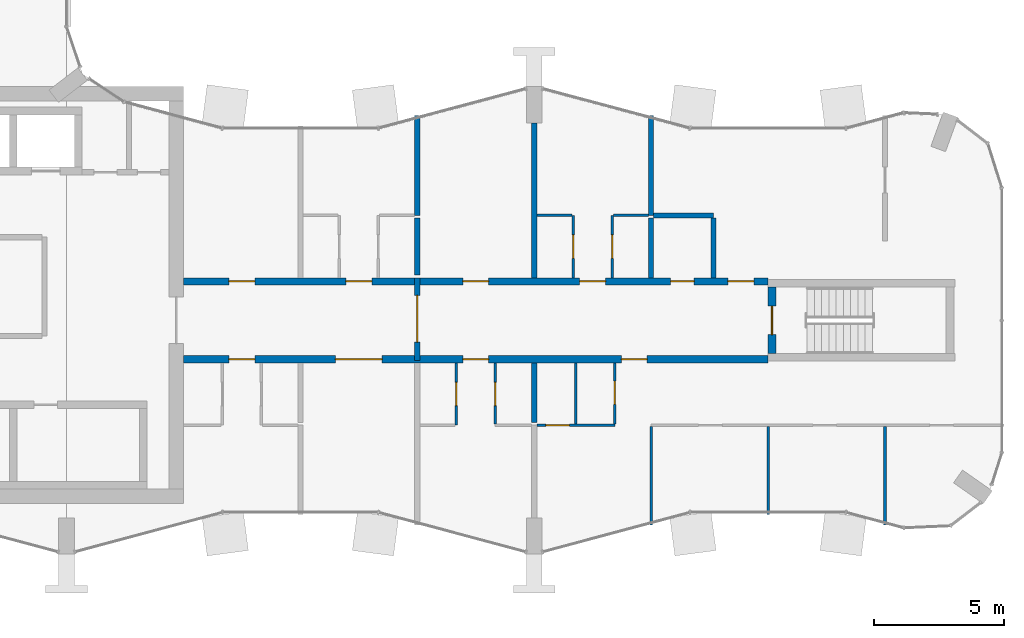
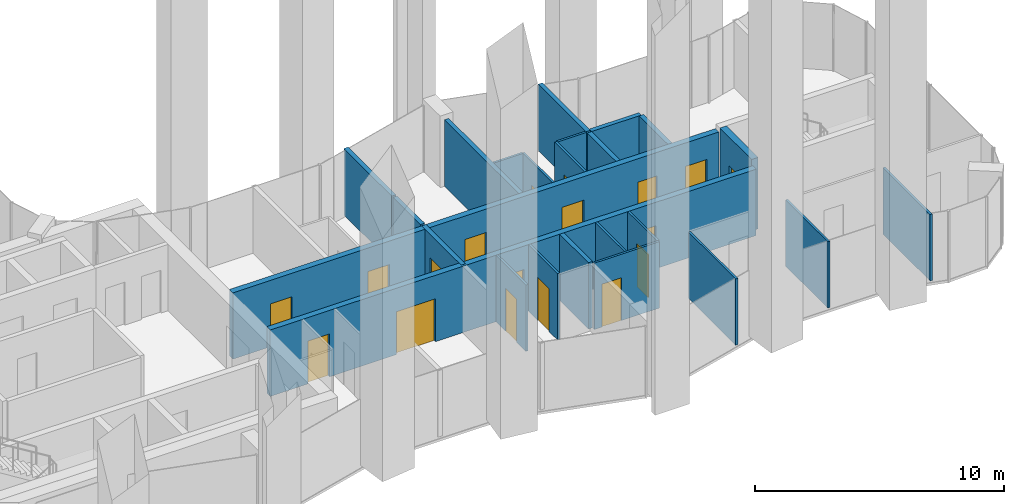
# One storey, part 11 of 17: 24 walls, 18 doors, 18 openings.
"""IFC4 building model written with IfcOpenShell, lengths in metres."""

from ifc_helpers import new_model, si_unit, direction, frame, frame_2d, origin, place, context, subcontext, project, spatial, rectangle, extrude, material, layer, layer_set, type_object, element, fill, save


model = new_model("IFC4")

# Units and contexts
model_context = context("Model", 3, precision=1e-05, world=origin(), true_north=direction((0.0, 1.0)))
body_context = subcontext(model_context, "Body", "Model", "MODEL_VIEW")
ifc_project = project(units=[si_unit("LENGTHUNIT", "METRE"), si_unit("AREAUNIT", "SQUARE_METRE"), si_unit("VOLUMEUNIT", "CUBIC_METRE"), si_unit("PLANEANGLEUNIT", "RADIAN"), si_unit("MASSUNIT", "GRAM", prefix="KILO")], contexts=[model_context])

# Site, building, storey
site_placement = place(None, origin())
site = spatial("IfcSite", under=ifc_project, at=site_placement, CompositionType="ELEMENT")
building_placement = place(site_placement, origin())
building = spatial("IfcBuilding", under=site, at=building_placement, Name="Plateau Cross Towers", CompositionType="ELEMENT")
storey_placement = place(building_placement, frame((0.0, 0.0, 190.89990234375)))
storey = spatial("IfcBuildingStorey", under=building, at=storey_placement, Name="L49", CompositionType="ELEMENT", Elevation=190.89990234375)

# Wall, openings, doors
ifc_material_1 = material(Name="Concrete C60/75", Category="concrete")
ifc_layer_1 = layer(ifc_material_1, 0.27490234375)
ifc_layer_set_1 = layer_set([ifc_layer_1], Name="Concrete C60/75")
wall_type_1 = type_object("IfcWallType", Name="Corridor wall 275", PredefinedType="SHEAR", material=ifc_layer_set_1)
wall_1_placement = place(storey_placement, frame((22.5, 7.5, 0.0), z_axis=(0.0, 0.0, 1.0), x_axis=(1.0, 0.0, 0.0)))
wall_1 = element("IfcWall", 1, at=wall_1_placement, inside=storey, type_object=wall_type_1, Name="A-cw-S1@L49", PredefinedType="SHEAR", context=body_context, shape_type="SweptSolid", body=[
    extrude(rectangle(XDim=22.5, YDim=0.27490234375, at=frame_2d((11.25, 0.0))), origin(), (0.0, 0.0, 1.0), 3.25),
])
opening_1_placement = place(wall_1_placement, frame((1.75, 0.0, 0.0)))
opening_1 = element("IfcOpeningElement", 2, at=opening_1_placement, cuts=wall_1, Name="Opening 49-01", PredefinedType="OPENING", context=body_context, shape_type="SweptSolid", body=[
    extrude(rectangle(XDim=1.0, YDim=2.10009765625, at=frame_2d((0.5, 1.050048828125))), frame((0.0, 0.1474609375, 0.0), z_axis=(0.0, -1.0, 0.0), x_axis=(1.0, 0.0, 0.0)), (0.0, 0.0, 1.0), 0.294921875),
])
opening_2_placement = place(wall_1_placement, frame((5.85009765625, 0.0, 0.0)))
opening_2 = element("IfcOpeningElement", 3, at=opening_2_placement, cuts=wall_1, Name="Opening 49-02", PredefinedType="OPENING", context=body_context, shape_type="SweptSolid", body=[
    extrude(rectangle(XDim=1.800048828125, YDim=2.10009765625, at=frame_2d((0.89990234375, 1.050048828125))), frame((0.0, 0.1474609375, 0.0), z_axis=(0.0, -1.0, 0.0), x_axis=(1.0, 0.0, 0.0)), (0.0, 0.0, 1.0), 0.294921875),
])
opening_3_placement = place(wall_1_placement, frame((10.75, 0.0, 0.0)))
opening_3 = element("IfcOpeningElement", 4, at=opening_3_placement, cuts=wall_1, Name="Opening 49-03", PredefinedType="OPENING", context=body_context, shape_type="SweptSolid", body=[
    extrude(rectangle(XDim=1.0, YDim=2.10009765625, at=frame_2d((0.5, 1.050048828125))), frame((0.0, 0.1474609375, 0.0), z_axis=(0.0, -1.0, 0.0), x_axis=(1.0, 0.0, 0.0)), (0.0, 0.0, 1.0), 0.294921875),
])
opening_4_placement = place(wall_1_placement, frame((16.85009765625, 0.0, 0.0)))
opening_4 = element("IfcOpeningElement", 5, at=opening_4_placement, cuts=wall_1, Name="Opening 49-04", PredefinedType="OPENING", context=body_context, shape_type="SweptSolid", body=[
    extrude(rectangle(XDim=1.0, YDim=2.10009765625, at=frame_2d((0.5, 1.050048828125))), frame((0.0, 0.1474609375, 0.0), z_axis=(0.0, -1.0, 0.0), x_axis=(1.0, 0.0, 0.0)), (0.0, 0.0, 1.0), 0.294921875),
])
ifc_material_2 = material(Name="Timber, fire-resisting leaf", Category="wood")
door_type_1 = type_object("IfcDoorType", Name="Flat entrance door 1000", OperationType="NOTDEFINED", PredefinedType="DOOR", material=ifc_material_2)
door_1_placement = place(opening_1_placement, origin())
door_1 = element("IfcDoor", 6, at=door_1_placement, inside=storey, type_object=door_type_1, Name="Door 49-01", OperationType="SINGLE_SWING_LEFT", OverallHeight=2.10009765625, OverallWidth=1.0, PredefinedType="DOOR", context=body_context, shape_type="SweptSolid", body=[
    extrude(rectangle(XDim=1.0, YDim=2.10009765625, at=frame_2d((0.5, 1.050048828125))), frame((0.0, 0.02490234375, 0.0), z_axis=(0.0, -1.0, 0.0), x_axis=(1.0, 0.0, 0.0)), (0.0, 0.0, 1.0), 0.050048828125),
])
fill(opening_1, door_1)
door_2_placement = place(opening_3_placement, origin())
door_2 = element("IfcDoor", 7, at=door_2_placement, inside=storey, type_object=door_type_1, Name="Door 49-03", OperationType="SINGLE_SWING_LEFT", OverallHeight=2.10009765625, OverallWidth=1.0, PredefinedType="DOOR", context=body_context, shape_type="SweptSolid", body=[
    extrude(rectangle(XDim=1.0, YDim=2.10009765625, at=frame_2d((0.5, 1.050048828125))), frame((0.0, 0.02490234375, 0.0), z_axis=(0.0, -1.0, 0.0), x_axis=(1.0, 0.0, 0.0)), (0.0, 0.0, 1.0), 0.050048828125),
])
fill(opening_3, door_2)
door_3_placement = place(opening_4_placement, origin())
door_3 = element("IfcDoor", 8, at=door_3_placement, inside=storey, type_object=door_type_1, Name="Door 49-04", OperationType="SINGLE_SWING_RIGHT", OverallHeight=2.10009765625, OverallWidth=1.0, PredefinedType="DOOR", context=body_context, shape_type="SweptSolid", body=[
    extrude(rectangle(XDim=1.0, YDim=2.10009765625, at=frame_2d((0.5, 1.050048828125))), frame((0.0, 0.02490234375, 0.0), z_axis=(0.0, -1.0, 0.0), x_axis=(1.0, 0.0, 0.0)), (0.0, 0.0, 1.0), 0.050048828125),
])
fill(opening_4, door_3)
ifc_material_3 = material(Name="Timber, fire-resisting leaves", Category="wood")
door_type_2 = type_object("IfcDoorType", Name="Flat floor fire door pair 1800", OperationType="NOTDEFINED", PredefinedType="DOOR", material=ifc_material_3)
door_4_placement = place(opening_2_placement, origin())
door_4 = element("IfcDoor", 9, at=door_4_placement, inside=storey, type_object=door_type_2, Name="Door 49-02", OperationType="SINGLE_SWING_LEFT", OverallHeight=2.10009765625, OverallWidth=1.800048828125, PredefinedType="DOOR", context=body_context, shape_type="SweptSolid", body=[
    extrude(rectangle(XDim=1.800048828125, YDim=2.10009765625, at=frame_2d((0.89990234375, 1.050048828125))), frame((0.0, 0.02490234375, 0.0), z_axis=(0.0, -1.0, 0.0), x_axis=(1.0, 0.0, 0.0)), (0.0, 0.0, 1.0), 0.050048828125),
])
fill(opening_2, door_4)

wall_2_placement = place(storey_placement, frame((22.5, 10.5, 0.0), z_axis=(0.0, 0.0, 1.0), x_axis=(1.0, 0.0, 0.0)))
wall_2 = element("IfcWall", 10, at=wall_2_placement, inside=storey, type_object=wall_type_1, Name="A-cw-S2@L49", PredefinedType="SHEAR", context=body_context, shape_type="SweptSolid", body=[
    extrude(rectangle(XDim=22.5, YDim=0.27490234375, at=frame_2d((11.25, 0.0))), origin(), (0.0, 0.0, 1.0), 3.25),
])
opening_5_placement = place(wall_2_placement, frame((1.75, 0.0, 0.0)))
opening_5 = element("IfcOpeningElement", 11, at=opening_5_placement, cuts=wall_2, Name="Opening 49-05", PredefinedType="OPENING", context=body_context, shape_type="SweptSolid", body=[
    extrude(rectangle(XDim=1.0, YDim=2.10009765625, at=frame_2d((0.5, 1.050048828125))), frame((0.0, 0.1474609375, 0.0), z_axis=(0.0, -1.0, 0.0), x_axis=(1.0, 0.0, 0.0)), (0.0, 0.0, 1.0), 0.294921875),
])
opening_6_placement = place(wall_2_placement, frame((6.25, 0.0, 0.0)))
opening_6 = element("IfcOpeningElement", 12, at=opening_6_placement, cuts=wall_2, Name="Opening 49-06", PredefinedType="OPENING", context=body_context, shape_type="SweptSolid", body=[
    extrude(rectangle(XDim=1.0, YDim=2.10009765625, at=frame_2d((0.5, 1.050048828125))), frame((0.0, 0.1474609375, 0.0), z_axis=(0.0, -1.0, 0.0), x_axis=(1.0, 0.0, 0.0)), (0.0, 0.0, 1.0), 0.294921875),
])
opening_7_placement = place(wall_2_placement, frame((10.75, 0.0, 0.0)))
opening_7 = element("IfcOpeningElement", 13, at=opening_7_placement, cuts=wall_2, Name="Opening 49-07", PredefinedType="OPENING", context=body_context, shape_type="SweptSolid", body=[
    extrude(rectangle(XDim=1.0, YDim=2.10009765625, at=frame_2d((0.5, 1.050048828125))), frame((0.0, 0.1474609375, 0.0), z_axis=(0.0, -1.0, 0.0), x_axis=(1.0, 0.0, 0.0)), (0.0, 0.0, 1.0), 0.294921875),
])
opening_8_placement = place(wall_2_placement, frame((15.25, 0.0, 0.0)))
opening_8 = element("IfcOpeningElement", 14, at=opening_8_placement, cuts=wall_2, Name="Opening 49-08", PredefinedType="OPENING", context=body_context, shape_type="SweptSolid", body=[
    extrude(rectangle(XDim=1.0, YDim=2.10009765625, at=frame_2d((0.5, 1.050048828125))), frame((0.0, 0.1474609375, 0.0), z_axis=(0.0, -1.0, 0.0), x_axis=(1.0, 0.0, 0.0)), (0.0, 0.0, 1.0), 0.294921875),
])
opening_9_placement = place(wall_2_placement, frame((18.75, 0.0, 0.0)))
opening_9 = element("IfcOpeningElement", 15, at=opening_9_placement, cuts=wall_2, Name="Opening 49-09", PredefinedType="OPENING", context=body_context, shape_type="SweptSolid", body=[
    extrude(rectangle(XDim=0.89990234375, YDim=2.10009765625, at=frame_2d((0.449951171875, 1.050048828125))), frame((0.0, 0.1474609375, 0.0), z_axis=(0.0, -1.0, 0.0), x_axis=(1.0, 0.0, 0.0)), (0.0, 0.0, 1.0), 0.294921875),
])
opening_10_placement = place(wall_2_placement, frame((20.949951171875, 0.0, 0.0)))
opening_10 = element("IfcOpeningElement", 16, at=opening_10_placement, cuts=wall_2, Name="Opening 49-10", PredefinedType="OPENING", context=body_context, shape_type="SweptSolid", body=[
    extrude(rectangle(XDim=1.0, YDim=2.10009765625, at=frame_2d((0.5, 1.050048828125))), frame((0.0, 0.1474609375, 0.0), z_axis=(0.0, -1.0, 0.0), x_axis=(1.0, 0.0, 0.0)), (0.0, 0.0, 1.0), 0.294921875),
])
door_5_placement = place(opening_5_placement, origin())
door_5 = element("IfcDoor", 17, at=door_5_placement, inside=storey, type_object=door_type_1, Name="Door 49-05", OperationType="SINGLE_SWING_LEFT", OverallHeight=2.10009765625, OverallWidth=1.0, PredefinedType="DOOR", context=body_context, shape_type="SweptSolid", body=[
    extrude(rectangle(XDim=1.0, YDim=2.10009765625, at=frame_2d((0.5, 1.050048828125))), frame((0.0, 0.02490234375, 0.0), z_axis=(0.0, -1.0, 0.0), x_axis=(1.0, 0.0, 0.0)), (0.0, 0.0, 1.0), 0.050048828125),
])
fill(opening_5, door_5)
door_6_placement = place(opening_6_placement, origin())
door_6 = element("IfcDoor", 18, at=door_6_placement, inside=storey, type_object=door_type_1, Name="Door 49-06", OperationType="SINGLE_SWING_LEFT", OverallHeight=2.10009765625, OverallWidth=1.0, PredefinedType="DOOR", context=body_context, shape_type="SweptSolid", body=[
    extrude(rectangle(XDim=1.0, YDim=2.10009765625, at=frame_2d((0.5, 1.050048828125))), frame((0.0, 0.02490234375, 0.0), z_axis=(0.0, -1.0, 0.0), x_axis=(1.0, 0.0, 0.0)), (0.0, 0.0, 1.0), 0.050048828125),
])
fill(opening_6, door_6)
door_7_placement = place(opening_7_placement, origin())
door_7 = element("IfcDoor", 19, at=door_7_placement, inside=storey, type_object=door_type_1, Name="Door 49-07", OperationType="SINGLE_SWING_LEFT", OverallHeight=2.10009765625, OverallWidth=1.0, PredefinedType="DOOR", context=body_context, shape_type="SweptSolid", body=[
    extrude(rectangle(XDim=1.0, YDim=2.10009765625, at=frame_2d((0.5, 1.050048828125))), frame((0.0, 0.02490234375, 0.0), z_axis=(0.0, -1.0, 0.0), x_axis=(1.0, 0.0, 0.0)), (0.0, 0.0, 1.0), 0.050048828125),
])
fill(opening_7, door_7)
door_8_placement = place(opening_8_placement, origin())
door_8 = element("IfcDoor", 20, at=door_8_placement, inside=storey, type_object=door_type_1, Name="Door 49-08", OperationType="SINGLE_SWING_RIGHT", OverallHeight=2.10009765625, OverallWidth=1.0, PredefinedType="DOOR", context=body_context, shape_type="SweptSolid", body=[
    extrude(rectangle(XDim=1.0, YDim=2.10009765625, at=frame_2d((0.5, 1.050048828125))), frame((0.0, 0.02490234375, 0.0), z_axis=(0.0, -1.0, 0.0), x_axis=(1.0, 0.0, 0.0)), (0.0, 0.0, 1.0), 0.050048828125),
])
fill(opening_8, door_8)
door_9_placement = place(opening_10_placement, origin())
door_9 = element("IfcDoor", 21, at=door_9_placement, inside=storey, type_object=door_type_1, Name="Door 49-10", OperationType="SINGLE_SWING_RIGHT", OverallHeight=2.10009765625, OverallWidth=1.0, PredefinedType="DOOR", context=body_context, shape_type="SweptSolid", body=[
    extrude(rectangle(XDim=1.0, YDim=2.10009765625, at=frame_2d((0.5, 1.050048828125))), frame((0.0, 0.02490234375, 0.0), z_axis=(0.0, -1.0, 0.0), x_axis=(1.0, 0.0, 0.0)), (0.0, 0.0, 1.0), 0.050048828125),
])
fill(opening_10, door_9)
door_type_3 = type_object("IfcDoorType", Name="Flat floor service door 900", OperationType="NOTDEFINED", PredefinedType="DOOR", material=ifc_material_2)
door_10_placement = place(opening_9_placement, origin())
door_10 = element("IfcDoor", 22, at=door_10_placement, inside=storey, type_object=door_type_3, Name="Door 49-09", OperationType="SINGLE_SWING_RIGHT", OverallHeight=2.10009765625, OverallWidth=0.89990234375, PredefinedType="DOOR", context=body_context, shape_type="SweptSolid", body=[
    extrude(rectangle(XDim=0.89990234375, YDim=2.10009765625, at=frame_2d((0.449951171875, 1.050048828125))), frame((0.0, 0.02490234375, 0.0), z_axis=(0.0, -1.0, 0.0), x_axis=(1.0, 0.0, 0.0)), (0.0, 0.0, 1.0), 0.050048828125),
])
fill(opening_9, door_10)

# Wall, opening, door
ifc_material_4 = material(Name="Gypsum board on steel studs", Category="steel")
ifc_layer_2 = layer(ifc_material_4, 0.10009765625)
ifc_layer_set_2 = layer_set([ifc_layer_2], Name="Gypsum board on steel studs")
wall_type_2 = type_object("IfcWallType", Name="Flat partition 100", PredefinedType="PARTITIONING", material=ifc_layer_set_2)
wall_3_placement = place(storey_placement, frame((36.10009765625, 4.96240234375, 0.0), z_axis=(0.0, 0.0, 1.0), x_axis=(1.0, 0.0, 0.0)))
wall_3 = element("IfcWall", 23, at=wall_3_placement, inside=storey, type_object=wall_type_2, Name="Partition wall", PredefinedType="PARTITIONING", context=body_context, shape_type="SweptSolid", body=[
    extrude(rectangle(XDim=3.0, YDim=0.10009765625, at=frame_2d((1.5, 0.0))), origin(), (0.0, 0.0, 1.0), 3.25),
])
opening_11_placement = place(wall_3_placement, frame((0.35009765625, 0.0, 0.0)))
opening_11 = element("IfcOpeningElement", 24, at=opening_11_placement, cuts=wall_3, Name="Opening 49-30", PredefinedType="OPENING", context=body_context, shape_type="SweptSolid", body=[
    extrude(rectangle(XDim=0.89990234375, YDim=2.10009765625, at=frame_2d((0.449951171875, 1.050048828125))), frame((0.0, 0.06005859375, 0.0), z_axis=(0.0, -1.0, 0.0), x_axis=(1.0, 0.0, 0.0)), (0.0, 0.0, 1.0), 0.1201171875),
])
ifc_material_5 = material(Name="Timber leaf", Category="wood")
door_type_4 = type_object("IfcDoorType", Name="Flat room door 900", OperationType="NOTDEFINED", PredefinedType="DOOR", material=ifc_material_5)
door_11_placement = place(opening_11_placement, origin())
door_11 = element("IfcDoor", 25, at=door_11_placement, inside=storey, type_object=door_type_4, Name="Door 49-30", OperationType="SINGLE_SWING_LEFT", OverallHeight=2.10009765625, OverallWidth=0.89990234375, PredefinedType="DOOR", context=body_context, shape_type="SweptSolid", body=[
    extrude(rectangle(XDim=0.89990234375, YDim=2.10009765625, at=frame_2d((0.449951171875, 1.050048828125))), frame((0.0, 0.02490234375, 0.0), z_axis=(0.0, -1.0, 0.0), x_axis=(1.0, 0.0, 0.0)), (0.0, 0.0, 1.0), 0.050048828125),
])
fill(opening_11, door_11)

# Walls
for number, where, z_axis, x_axis, name in (
    (26, (37.449951171875, 13.03759765625, 0.0), (0.0, 0.0, 1.0), (-1.0, 0.0, 0.0), "Partition wall"),
    (27, (40.39990234375, 13.03759765625, 0.0), (0.0, 0.0, 1.0), (-1.0, 0.0, 0.0), "Partition wall"),
):
    element("IfcWall", number, at=place(storey_placement, frame(where, z_axis=z_axis, x_axis=x_axis)), inside=storey, type_object=wall_type_2, Name=name, PredefinedType="PARTITIONING", context=body_context, shape_type="SweptSolid", body=[
        extrude(rectangle(XDim=1.349853515625, YDim=0.10009765625, at=frame_2d((0.6748046875, 0.0))), origin(), (0.0, 0.0, 1.0), 3.25),
    ])

# Wall, opening, door
wall_4_placement = place(storey_placement, frame((33.0, 4.96240234375, 0.0), z_axis=(0.0, 0.0, 1.0), x_axis=(0.0, 1.0, 0.0)))
wall_4 = element("IfcWall", 28, at=wall_4_placement, inside=storey, type_object=wall_type_2, Name="Partition wall", PredefinedType="PARTITIONING", context=body_context, shape_type="SweptSolid", body=[
    extrude(rectangle(XDim=2.400146484375, YDim=0.10009765625, at=frame_2d((1.2001953125, 0.0))), origin(), (0.0, 0.0, 1.0), 3.25),
])
opening_12_placement = place(wall_4_placement, frame((0.75, 0.0, 0.0)))
opening_12 = element("IfcOpeningElement", 29, at=opening_12_placement, cuts=wall_4, Name="Opening 49-28", PredefinedType="OPENING", context=body_context, shape_type="SweptSolid", body=[
    extrude(rectangle(XDim=0.89990234375, YDim=2.10009765625, at=frame_2d((0.449951171875, 1.050048828125))), frame((0.0, 0.06005859375, 0.0), z_axis=(0.0, -1.0, 0.0), x_axis=(1.0, 0.0, 0.0)), (0.0, 0.0, 1.0), 0.1201171875),
])
door_12_placement = place(opening_12_placement, origin())
door_12 = element("IfcDoor", 30, at=door_12_placement, inside=storey, type_object=door_type_4, Name="Door 49-28", OperationType="SINGLE_SWING_RIGHT", OverallHeight=2.10009765625, OverallWidth=0.89990234375, PredefinedType="DOOR", context=body_context, shape_type="SweptSolid", body=[
    extrude(rectangle(XDim=0.89990234375, YDim=2.10009765625, at=frame_2d((0.449951171875, 1.050048828125))), frame((0.0, 0.02490234375, 0.0), z_axis=(0.0, -1.0, 0.0), x_axis=(1.0, 0.0, 0.0)), (0.0, 0.0, 1.0), 0.050048828125),
])
fill(opening_12, door_12)

wall_5_placement = place(storey_placement, frame((34.5, 7.362548828125, 0.0), z_axis=(0.0, 0.0, 1.0), x_axis=(0.0, -1.0, 0.0)))
wall_5 = element("IfcWall", 31, at=wall_5_placement, inside=storey, type_object=wall_type_2, Name="Partition wall", PredefinedType="PARTITIONING", context=body_context, shape_type="SweptSolid", body=[
    extrude(rectangle(XDim=2.35009765625, YDim=0.10009765625, at=frame_2d((1.175048828125, 0.0))), origin(), (0.0, 0.0, 1.0), 3.25),
])
opening_13_placement = place(wall_5_placement, frame((0.75, 0.0, 0.0)))
opening_13 = element("IfcOpeningElement", 32, at=opening_13_placement, cuts=wall_5, Name="Opening 49-29", PredefinedType="OPENING", context=body_context, shape_type="SweptSolid", body=[
    extrude(rectangle(XDim=0.89990234375, YDim=2.10009765625, at=frame_2d((0.449951171875, 1.050048828125))), frame((0.0, 0.06005859375, 0.0), z_axis=(0.0, -1.0, 0.0), x_axis=(1.0, 0.0, 0.0)), (0.0, 0.0, 1.0), 0.1201171875),
])
door_13_placement = place(opening_13_placement, origin())
door_13 = element("IfcDoor", 33, at=door_13_placement, inside=storey, type_object=door_type_4, Name="Door 49-29", OperationType="SINGLE_SWING_RIGHT", OverallHeight=2.10009765625, OverallWidth=0.89990234375, PredefinedType="DOOR", context=body_context, shape_type="SweptSolid", body=[
    extrude(rectangle(XDim=0.89990234375, YDim=2.10009765625, at=frame_2d((0.449951171875, 1.050048828125))), frame((0.0, 0.02490234375, 0.0), z_axis=(0.0, -1.0, 0.0), x_axis=(1.0, 0.0, 0.0)), (0.0, 0.0, 1.0), 0.050048828125),
])
fill(opening_13, door_13)

wall_6_placement = place(storey_placement, frame((37.5, 10.637451171875, 0.0), z_axis=(0.0, 0.0, 1.0), x_axis=(0.0, 1.0, 0.0)))
wall_6 = element("IfcWall", 34, at=wall_6_placement, inside=storey, type_object=wall_type_2, Name="Partition wall", PredefinedType="PARTITIONING", context=body_context, shape_type="SweptSolid", body=[
    extrude(rectangle(XDim=2.400146484375, YDim=0.10009765625, at=frame_2d((1.2001953125, 0.0))), origin(), (0.0, 0.0, 1.0), 3.25),
])
opening_14_placement = place(wall_6_placement, frame((0.75, 0.0, 0.0)))
opening_14 = element("IfcOpeningElement", 35, at=opening_14_placement, cuts=wall_6, Name="Opening 49-37", PredefinedType="OPENING", context=body_context, shape_type="SweptSolid", body=[
    extrude(rectangle(XDim=0.89990234375, YDim=2.10009765625, at=frame_2d((0.449951171875, 1.050048828125))), frame((0.0, 0.06005859375, 0.0), z_axis=(0.0, -1.0, 0.0), x_axis=(1.0, 0.0, 0.0)), (0.0, 0.0, 1.0), 0.1201171875),
])
door_14_placement = place(opening_14_placement, origin())
door_14 = element("IfcDoor", 36, at=door_14_placement, inside=storey, type_object=door_type_4, Name="Door 49-37", OperationType="SINGLE_SWING_LEFT", OverallHeight=2.10009765625, OverallWidth=0.89990234375, PredefinedType="DOOR", context=body_context, shape_type="SweptSolid", body=[
    extrude(rectangle(XDim=0.89990234375, YDim=2.10009765625, at=frame_2d((0.449951171875, 1.050048828125))), frame((0.0, 0.02490234375, 0.0), z_axis=(0.0, -1.0, 0.0), x_axis=(1.0, 0.0, 0.0)), (0.0, 0.0, 1.0), 0.050048828125),
])
fill(opening_14, door_14)

# Wall
wall_7_placement = place(storey_placement, frame((37.60009765625, 5.012451171875, 0.0), z_axis=(0.0, 0.0, 1.0), x_axis=(0.0, 1.0, 0.0)))
element("IfcWall", 37, at=wall_7_placement, inside=storey, type_object=wall_type_2, Name="Partition wall", PredefinedType="PARTITIONING", context=body_context, shape_type="SweptSolid", body=[
    extrude(rectangle(XDim=2.35009765625, YDim=0.10009765625, at=frame_2d((1.175048828125, 0.0))), origin(), (0.0, 0.0, 1.0), 3.25),
])

# Wall, opening, door
wall_8_placement = place(storey_placement, frame((39.0, 13.03759765625, 0.0), z_axis=(0.0, 0.0, 1.0), x_axis=(0.0, -1.0, 0.0)))
wall_8 = element("IfcWall", 38, at=wall_8_placement, inside=storey, type_object=wall_type_2, Name="Partition wall", PredefinedType="PARTITIONING", context=body_context, shape_type="SweptSolid", body=[
    extrude(rectangle(XDim=2.400146484375, YDim=0.10009765625, at=frame_2d((1.2001953125, 0.0))), origin(), (0.0, 0.0, 1.0), 3.25),
])
opening_15_placement = place(wall_8_placement, frame((0.75, 0.0, 0.0)))
opening_15 = element("IfcOpeningElement", 39, at=opening_15_placement, cuts=wall_8, Name="Opening 49-38", PredefinedType="OPENING", context=body_context, shape_type="SweptSolid", body=[
    extrude(rectangle(XDim=0.89990234375, YDim=2.10009765625, at=frame_2d((0.449951171875, 1.050048828125))), frame((0.0, 0.06005859375, 0.0), z_axis=(0.0, -1.0, 0.0), x_axis=(1.0, 0.0, 0.0)), (0.0, 0.0, 1.0), 0.1201171875),
])
door_15_placement = place(opening_15_placement, origin())
door_15 = element("IfcDoor", 40, at=door_15_placement, inside=storey, type_object=door_type_4, Name="Door 49-38", OperationType="SINGLE_SWING_LEFT", OverallHeight=2.10009765625, OverallWidth=0.89990234375, PredefinedType="DOOR", context=body_context, shape_type="SweptSolid", body=[
    extrude(rectangle(XDim=0.89990234375, YDim=2.10009765625, at=frame_2d((0.449951171875, 1.050048828125))), frame((0.0, 0.02490234375, 0.0), z_axis=(0.0, -1.0, 0.0), x_axis=(1.0, 0.0, 0.0)), (0.0, 0.0, 1.0), 0.050048828125),
])
fill(opening_15, door_15)

wall_9_placement = place(storey_placement, frame((39.10009765625, 5.012451171875, 0.0), z_axis=(0.0, 0.0, 1.0), x_axis=(0.0, 1.0, 0.0)))
wall_9 = element("IfcWall", 41, at=wall_9_placement, inside=storey, type_object=wall_type_2, Name="Partition wall", PredefinedType="PARTITIONING", context=body_context, shape_type="SweptSolid", body=[
    extrude(rectangle(XDim=2.35009765625, YDim=0.10009765625, at=frame_2d((1.175048828125, 0.0))), origin(), (0.0, 0.0, 1.0), 3.25),
])
opening_16_placement = place(wall_9_placement, frame((0.75, 0.0, 0.0)))
opening_16 = element("IfcOpeningElement", 42, at=opening_16_placement, cuts=wall_9, Name="Opening 49-31", PredefinedType="OPENING", context=body_context, shape_type="SweptSolid", body=[
    extrude(rectangle(XDim=0.89990234375, YDim=2.10009765625, at=frame_2d((0.449951171875, 1.050048828125))), frame((0.0, 0.06005859375, 0.0), z_axis=(0.0, -1.0, 0.0), x_axis=(1.0, 0.0, 0.0)), (0.0, 0.0, 1.0), 0.1201171875),
])
door_16_placement = place(opening_16_placement, origin())
door_16 = element("IfcDoor", 43, at=door_16_placement, inside=storey, type_object=door_type_4, Name="Door 49-31", OperationType="SINGLE_SWING_RIGHT", OverallHeight=2.10009765625, OverallWidth=0.89990234375, PredefinedType="DOOR", context=body_context, shape_type="SweptSolid", body=[
    extrude(rectangle(XDim=0.89990234375, YDim=2.10009765625, at=frame_2d((0.449951171875, 1.050048828125))), frame((0.0, 0.02490234375, 0.0), z_axis=(0.0, -1.0, 0.0), x_axis=(1.0, 0.0, 0.0)), (0.0, 0.0, 1.0), 0.050048828125),
])
fill(opening_16, door_16)

# Walls
wall_10_placement = place(storey_placement, frame((40.5, 4.91259765625, 0.0), z_axis=(0.0, 0.0, 1.0), x_axis=(0.0, -1.0, 0.0)))
element("IfcWall", 44, at=wall_10_placement, inside=storey, type_object=wall_type_2, Name="Partition wall", PredefinedType="PARTITIONING", context=body_context, shape_type="SweptSolid", body=[
    extrude(rectangle(XDim=3.790283203125, YDim=0.10009765625, at=frame_2d((1.89501953125, 0.0))), origin(), (0.0, 0.0, 1.0), 3.25),
])
wall_11_placement = place(storey_placement, frame((45.0, 1.52685546875, 0.0), z_axis=(0.0, 0.0, 1.0), x_axis=(0.0, 1.0, 0.0)))
element("IfcWall", 45, at=wall_11_placement, inside=storey, type_object=wall_type_2, Name="Partition wall", PredefinedType="PARTITIONING", context=body_context, shape_type="SweptSolid", body=[
    extrude(rectangle(XDim=3.3857421875, YDim=0.10009765625, at=frame_2d((1.69287109375, 0.0))), origin(), (0.0, 0.0, 1.0), 3.25),
])
wall_12_placement = place(storey_placement, frame((49.5, 1.122314453125, 0.0), z_axis=(0.0, 0.0, 1.0), x_axis=(0.0, 1.0, 0.0)))
element("IfcWall", 46, at=wall_12_placement, inside=storey, type_object=wall_type_2, Name="Partition wall", PredefinedType="PARTITIONING", context=body_context, shape_type="SweptSolid", body=[
    extrude(rectangle(XDim=3.790283203125, YDim=0.10009765625, at=frame_2d((1.89501953125, 0.0))), origin(), (0.0, 0.0, 1.0), 3.25),
])
ifc_material_6 = material(Name="Gypsum board on steel studs, two layers each side", Category="steel")
ifc_layer_3 = layer(ifc_material_6, 0.199951171875)
ifc_layer_set_3 = layer_set([ifc_layer_3], Name="Gypsum board on steel studs, two layers each side")
wall_type_3 = type_object("IfcWallType", Name="Flat party wall 200", PredefinedType="PARTITIONING", material=ifc_layer_set_3)
wall_13_placement = place(storey_placement, frame((42.89990234375, 13.03759765625, 0.0), z_axis=(0.0, 0.0, 1.0), x_axis=(-1.0, 0.0, 0.0)))
element("IfcWall", 47, at=wall_13_placement, inside=storey, type_object=wall_type_3, Name="Party wall", PredefinedType="PARTITIONING", context=body_context, shape_type="SweptSolid", body=[
    extrude(rectangle(XDim=2.2998046875, YDim=0.199951171875, at=frame_2d((1.14990234375, 0.0))), origin(), (0.0, 0.0, 1.0), 3.25),
])
wall_14_placement = place(storey_placement, frame((31.5, 16.877685546875, 0.0), z_axis=(0.0, 0.0, 1.0), x_axis=(0.0, -1.0, 0.0)))
element("IfcWall", 48, at=wall_14_placement, inside=storey, type_object=wall_type_3, Name="Party wall", PredefinedType="PARTITIONING", context=body_context, shape_type="SweptSolid", body=[
    extrude(rectangle(XDim=3.840087890625, YDim=0.199951171875, at=frame_2d((1.919921875, 0.0))), origin(), (0.0, 0.0, 1.0), 3.25),
])
wall_15_placement = place(storey_placement, frame((31.5, 10.737548828125, 0.0), z_axis=(0.0, 0.0, 1.0), x_axis=(0.0, 1.0, 0.0)))
element("IfcWall", 49, at=wall_15_placement, inside=storey, type_object=wall_type_3, Name="Party wall", PredefinedType="PARTITIONING", context=body_context, shape_type="SweptSolid", body=[
    extrude(rectangle(XDim=2.199951171875, YDim=0.199951171875, at=frame_2d((1.10009765625, 0.0))), origin(), (0.0, 0.0, 1.0), 3.25),
])
wall_16_placement = place(storey_placement, frame((36.0, 5.0625, 0.0), z_axis=(0.0, 0.0, 1.0), x_axis=(0.0, 1.0, 0.0)))
element("IfcWall", 50, at=wall_16_placement, inside=storey, type_object=wall_type_3, Name="Party wall", PredefinedType="PARTITIONING", context=body_context, shape_type="SweptSolid", body=[
    extrude(rectangle(XDim=2.300048828125, YDim=0.199951171875, at=frame_2d((1.14990234375, 0.0))), origin(), (0.0, 0.0, 1.0), 3.25),
])
wall_17_placement = place(storey_placement, frame((36.0, 10.637451171875, 0.0), z_axis=(0.0, 0.0, 1.0), x_axis=(0.0, 1.0, 0.0)))
element("IfcWall", 51, at=wall_17_placement, inside=storey, type_object=wall_type_3, Name="Party wall", PredefinedType="PARTITIONING", context=body_context, shape_type="SweptSolid", body=[
    extrude(rectangle(XDim=5.962646484375, YDim=0.199951171875, at=frame_2d((2.9814453125, 0.0))), origin(), (0.0, 0.0, 1.0), 3.25),
])
wall_18_placement = place(storey_placement, frame((40.5, 16.877685546875, 0.0), z_axis=(0.0, 0.0, 1.0), x_axis=(0.0, -1.0, 0.0)))
element("IfcWall", 52, at=wall_18_placement, inside=storey, type_object=wall_type_3, Name="Party wall", PredefinedType="PARTITIONING", context=body_context, shape_type="SweptSolid", body=[
    extrude(rectangle(XDim=3.840087890625, YDim=0.199951171875, at=frame_2d((1.919921875, 0.0))), origin(), (0.0, 0.0, 1.0), 3.25),
])
for number, where, z_axis, x_axis, name in (
    (53, (40.5, 10.637451171875, 0.0), (0.0, 0.0, 1.0), (0.0, 1.0, 0.0), "Party wall"),
    (54, (42.89990234375, 10.637451171875, 0.0), (0.0, 0.0, 1.0), (0.0, 1.0, 0.0), "Party wall"),
):
    element("IfcWall", number, at=place(storey_placement, frame(where, z_axis=z_axis, x_axis=x_axis)), inside=storey, type_object=wall_type_3, Name=name, PredefinedType="PARTITIONING", context=body_context, shape_type="SweptSolid", body=[
        extrude(rectangle(XDim=2.300048828125, YDim=0.199951171875, at=frame_2d((1.14990234375, 0.0))), origin(), (0.0, 0.0, 1.0), 3.25),
    ])

# Wall, opening, door
wall_19_placement = place(storey_placement, frame((31.5, 7.46240234375, 0.0), z_axis=(0.0, 0.0, 1.0), x_axis=(0.0, 1.0, 0.0)))
wall_19 = element("IfcWall", 55, at=wall_19_placement, inside=storey, type_object=wall_type_3, Name="Party wall", PredefinedType="PARTITIONING", context=body_context, shape_type="SweptSolid", body=[
    extrude(rectangle(XDim=3.175048828125, YDim=0.199951171875, at=frame_2d((1.58740234375, 0.0))), origin(), (0.0, 0.0, 1.0), 3.25),
])
opening_17_placement = place(wall_19_placement, frame((0.699951171875, 0.0, 0.0)))
opening_17 = element("IfcOpeningElement", 56, at=opening_17_placement, cuts=wall_19, Name="Opening 49-22", PredefinedType="OPENING", context=body_context, shape_type="SweptSolid", body=[
    extrude(rectangle(XDim=1.800048828125, YDim=2.10009765625, at=frame_2d((0.89990234375, 1.050048828125))), frame((0.0, 0.10986328125, 0.0), z_axis=(0.0, -1.0, 0.0), x_axis=(1.0, 0.0, 0.0)), (0.0, 0.0, 1.0), 0.219970703125),
])
door_17_placement = place(opening_17_placement, origin())
door_17 = element("IfcDoor", 57, at=door_17_placement, inside=storey, type_object=door_type_2, Name="Door 49-22", OperationType="SINGLE_SWING_RIGHT", OverallHeight=2.10009765625, OverallWidth=1.800048828125, PredefinedType="DOOR", context=body_context, shape_type="SweptSolid", body=[
    extrude(rectangle(XDim=1.800048828125, YDim=2.10009765625, at=frame_2d((0.89990234375, 1.050048828125))), frame((0.0, 0.02490234375, 0.0), z_axis=(0.0, -1.0, 0.0), x_axis=(1.0, 0.0, 0.0)), (0.0, 0.0, 1.0), 0.050048828125),
])
fill(opening_17, door_17)

ifc_layer_4 = layer(ifc_material_1, 0.300048828125)
ifc_layer_set_4 = layer_set([ifc_layer_4], Name="Concrete C60/75")
wall_type_4 = type_object("IfcWallType", Name="Stair tower wall 300", PredefinedType="SHEAR", material=ifc_layer_set_4)
wall_20_placement = place(storey_placement, frame((45.14990234375, 7.72509765625, 0.0), z_axis=(0.0, 0.0, 1.0), x_axis=(0.0, 1.0, 0.0)))
wall_20 = element("IfcWall", 58, at=wall_20_placement, inside=storey, type_object=wall_type_4, Name="A-end-E-W@L49", PredefinedType="SHEAR", context=body_context, shape_type="SweptSolid", body=[
    extrude(rectangle(XDim=2.5498046875, YDim=0.300048828125, at=frame_2d((1.27490234375, 0.0))), origin(), (0.0, 0.0, 1.0), 3.5),
])
opening_18_placement = place(wall_20_placement, frame((0.72509765625, 0.0, 0.0)))
opening_18 = element("IfcOpeningElement", 59, at=opening_18_placement, cuts=wall_20, Name="Opening SD", PredefinedType="OPENING", context=body_context, shape_type="SweptSolid", body=[
    extrude(rectangle(XDim=1.10009765625, YDim=2.10009765625, at=frame_2d((0.550048828125, 1.050048828125))), frame((0.0, 0.159912109375, 0.0), z_axis=(0.0, -1.0, 0.0), x_axis=(1.0, 0.0, 0.0)), (0.0, 0.0, 1.0), 0.320068359375),
])
ifc_material_7 = material(Name="Steel, fire-resisting leaf", Category="steel")
door_type_5 = type_object("IfcDoorType", Name="Stair door 1100", OperationType="NOTDEFINED", PredefinedType="DOOR", material=ifc_material_7)
door_18_placement = place(opening_18_placement, origin())
door_18 = element("IfcDoor", 60, at=door_18_placement, inside=storey, type_object=door_type_5, Name="Stair door SD", OperationType="SINGLE_SWING_LEFT", OverallHeight=2.10009765625, OverallWidth=1.10009765625, PredefinedType="DOOR", context=body_context, shape_type="SweptSolid", body=[
    extrude(rectangle(XDim=1.10009765625, YDim=2.10009765625, at=frame_2d((0.550048828125, 1.050048828125))), frame((0.0, 0.02490234375, 0.0), z_axis=(0.0, -1.0, 0.0), x_axis=(1.0, 0.0, 0.0)), (0.0, 0.0, 1.0), 0.050048828125),
])
fill(opening_18, door_18)

save(model, "model.ifc")
